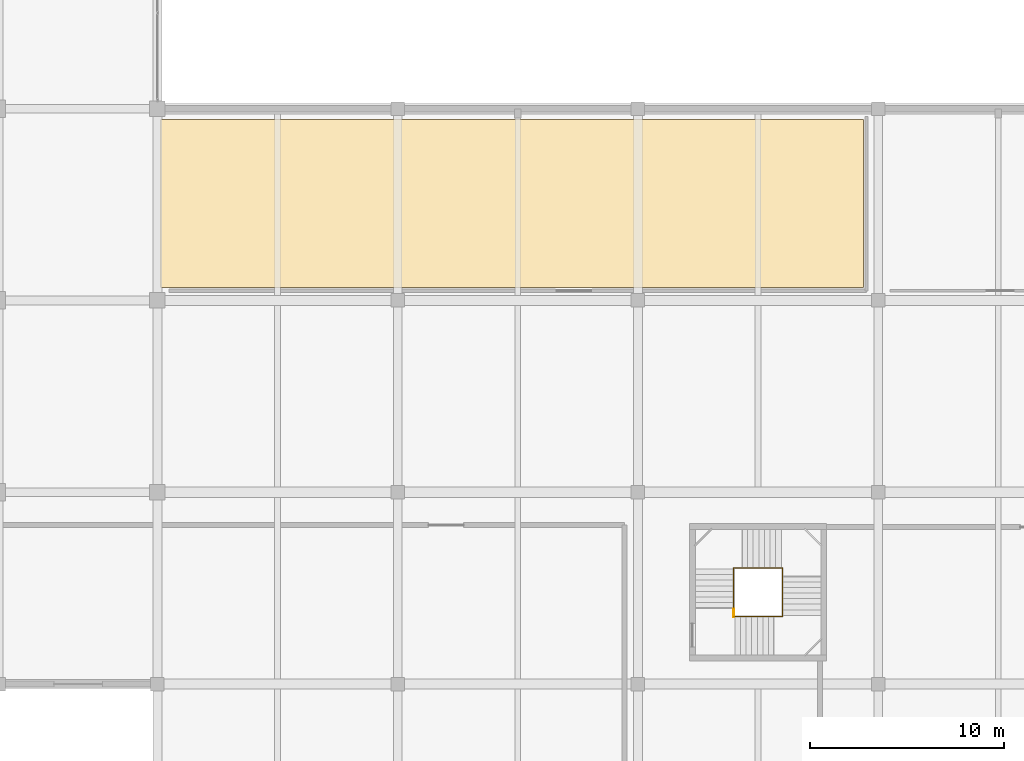
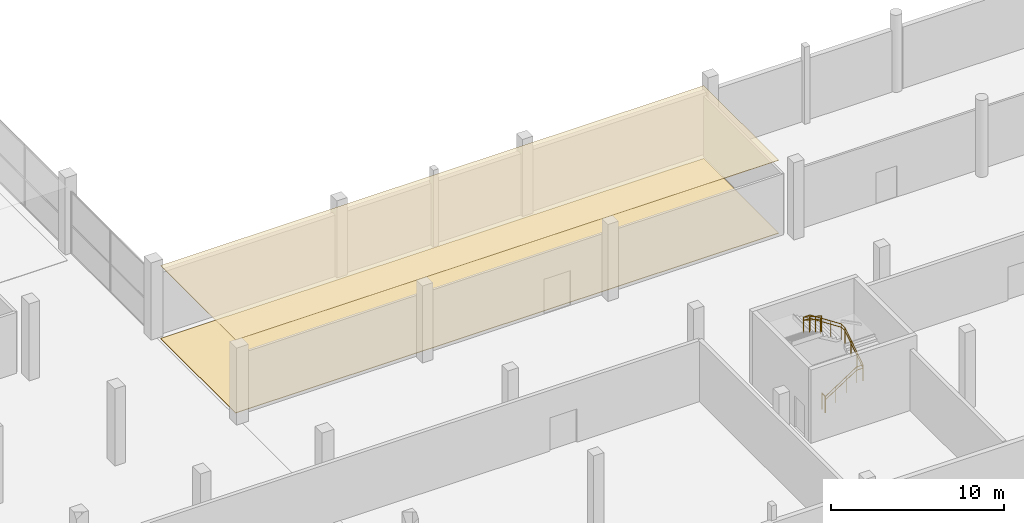
# One storey, part 74 of 74: 3 railings, 2 coverings.
"""IFC4 building model written with IfcOpenShell, lengths in metres."""

import ifcopenshell
import ifcopenshell.guid

model = None  # the IFC model being written
_history = None  # IfcOwnerHistory: only IFC2X3 demands one
_inside = {}  # id of a spatial element -> (the spatial element, [elements in it])
_under = {}  # id of a project, library or spatial element -> (it, [spatial elements below it])
_declared = {}  # id of a project -> (the project, [libraries it declares])
_typed = {}  # id of a type object -> (the type object, [elements of that type])
_made_of = {}  # id of a material, layer set ... -> (it, [elements and type objects made of it])


def new_model(schema):
    """Start an empty IFC model of exactly this schema.

    Asked for "IFC4X3", IfcOpenShell would pick the latest addendum, in which some entities
    have other attributes; the version numbers below select the first issue.
    IFC2X3 requires an IfcOwnerHistory on every rooted entity: one is made here for all.
    """
    global model, _history
    if schema == "IFC4X3":
        model = ifcopenshell.file(schema_version=(4, 3, 0, 0))
    else:
        model = ifcopenshell.file(schema=schema)
    _inside.clear()
    _under.clear()
    _declared.clear()
    _typed.clear()
    _made_of.clear()
    _history = None
    if model.schema == "IFC2X3":
        org = make("IfcOrganization", Name="unknown")
        user = make(
            "IfcPersonAndOrganization",
            ThePerson=make("IfcPerson", FamilyName="unknown"),
            TheOrganization=org,
        )
        app = make(
            "IfcApplication",
            ApplicationDeveloper=org,
            Version="unknown",
            ApplicationFullName="unknown",
            ApplicationIdentifier="unknown",
        )
        _history = make(
            "IfcOwnerHistory",
            OwningUser=user,
            OwningApplication=app,
            ChangeAction="ADDED",
            CreationDate=0,
        )
    return model


def make(cls, **values):
    """One entity of the class cls with the attributes given. An attribute that is None is left unset."""
    return model.create_entity(
        cls, **{name: value for name, value in values.items() if value is not None}
    )


def rooted(cls, **values):
    """An entity with a GlobalId (a new one), such as an element, a storey or a relation."""
    return make(cls, GlobalId=ifcopenshell.guid.new(), OwnerHistory=_history, **values)


def si_unit(unit_type, name, prefix=None):
    """IfcSIUnit, for example si_unit("LENGTHUNIT", "METRE", prefix="MILLI")."""
    return make("IfcSIUnit", UnitType=unit_type, Prefix=prefix, Name=name)


def assignment(units):
    """IfcUnitAssignment: the units of a project."""
    return None if units is None else make("IfcUnitAssignment", Units=units)


def point(xyz):
    """IfcCartesianPoint."""
    return None if xyz is None else make("IfcCartesianPoint", Coordinates=xyz)


def direction(xyz):
    """IfcDirection."""
    return None if xyz is None else make("IfcDirection", DirectionRatios=xyz)


def frame(location, z_axis=None, x_axis=None):
    """IfcAxis2Placement3D, a coordinate frame: its origin and axes. An axis left out is left unset."""
    return make(
        "IfcAxis2Placement3D",
        Location=point(location),
        Axis=direction(z_axis),
        RefDirection=direction(x_axis),
    )


def frame_2d(location, x_axis=None):
    """IfcAxis2Placement2D, a coordinate frame in the plane: its origin and x axis."""
    return make(
        "IfcAxis2Placement2D", Location=point(location), RefDirection=direction(x_axis)
    )


def origin():
    """The frame at (0, 0, 0) with its axes left unset."""
    return frame((0.0, 0.0, 0.0))


def origin_2d():
    """The frame at (0, 0) in the plane with its x axis left unset."""
    return frame_2d((0.0, 0.0))


def place(relative_to, where):
    """IfcLocalPlacement: puts the frame where relative to a parent placement (None: the world)."""
    return make(
        "IfcLocalPlacement", PlacementRelTo=relative_to, RelativePlacement=where
    )


def context(
    kind, dimensions, precision=None, world=None, true_north=None, identifier=None
):
    """IfcGeometricRepresentationContext, for example the 3D "Model" context."""
    return make(
        "IfcGeometricRepresentationContext",
        ContextIdentifier=identifier,
        ContextType=kind,
        CoordinateSpaceDimension=dimensions,
        Precision=precision,
        WorldCoordinateSystem=world,
        TrueNorth=true_north,
    )


def subcontext(parent, identifier, kind, view, scale=None):
    """IfcGeometricRepresentationSubContext, for example "Body" below "Model"."""
    return make(
        "IfcGeometricRepresentationSubContext",
        ContextIdentifier=identifier,
        ContextType=kind,
        ParentContext=parent,
        TargetScale=scale,
        TargetView=view,
    )


def project(units=None, contexts=None):
    """IfcProject with its units and contexts."""
    return rooted(
        "IfcProject",
        Name="project",
        RepresentationContexts=contexts,
        UnitsInContext=assignment(units),
    )


def spatial(cls, under=None, at=None, **own):
    """A site, building, storey or space (cls), placed at a placement, below another one or the project."""
    s = rooted(cls, ObjectPlacement=at, **own)
    if under is not None:
        _under.setdefault(under.id(), (under, []))[1].append(s)
    return s


def polyline(points):
    """IfcPolyline through the points."""
    return make("IfcPolyline", Points=[point(p) for p in points])


def profile(cls, at=None, kind="AREA", **sizes):
    """A parametric profile (cls). Its sizes go by their IFC names, for example OverallWidth=200.0."""
    return make(cls, ProfileType=kind, Position=at, **sizes)


def circle(**sizes):
    """IfcCircleProfileDef."""
    return profile("IfcCircleProfileDef", **sizes)


def outline(outer, holes=None, kind="AREA"):
    """IfcArbitraryClosedProfileDef: a profile drawn as a closed curve; with holes, ...WithVoids."""
    if holes is None:
        return make("IfcArbitraryClosedProfileDef", ProfileType=kind, OuterCurve=outer)
    return make(
        "IfcArbitraryProfileDefWithVoids",
        ProfileType=kind,
        OuterCurve=outer,
        InnerCurves=holes,
    )


def extrude(swept, where, along, depth):
    """IfcExtrudedAreaSolid: the profile swept, set in the frame where, extruded along a direction by depth."""
    return make(
        "IfcExtrudedAreaSolid",
        SweptArea=swept,
        Position=where,
        ExtrudedDirection=direction(along),
        Depth=depth,
    )


def shape(context_of_items, identifier, shape_type, items):
    """IfcShapeRepresentation: the items that make up one representation, for example the "Body"."""
    return make(
        "IfcShapeRepresentation",
        ContextOfItems=context_of_items,
        RepresentationIdentifier=identifier,
        RepresentationType=shape_type,
        Items=items,
    )


def material(Name=None, Category=None):
    """IfcMaterial."""
    return make("IfcMaterial", Name=Name, Category=Category)


def layer(
    of_material, thickness, ventilated=None, Name=None, Category=None, Priority=None
):
    """IfcMaterialLayer: one layer of a wall or slab, of a material (None: an air gap)."""
    return make(
        "IfcMaterialLayer",
        Material=of_material,
        LayerThickness=thickness,
        IsVentilated=ventilated,
        Name=Name,
        Category=Category,
        Priority=Priority,
    )


def layer_set(layers, Name=None):
    """IfcMaterialLayerSet."""
    return make("IfcMaterialLayerSet", MaterialLayers=layers, LayerSetName=Name)


def made_of(thing, what):
    """Note that an element or type object is made of a material, layer set ...; save() writes the relation."""
    if what is not None:
        _made_of.setdefault(what.id(), (what, []))[1].append(thing)
    return thing


def type_object(cls, material=None, **own):
    """A type object (cls), such as IfcWallType, which elements share."""
    return made_of(rooted(cls, **own), material)


def element(
    cls,
    number,
    at=None,
    inside=None,
    cuts=None,
    type_object=None,
    material=None,
    context=None,
    identifier="Body",
    shape_type=None,
    held_by="IfcProductDefinitionShape",
    body=None,
    shapes=None,
    **own,
):
    """One element of the class cls, such as IfcWall. Its Tag is "e" and its number.

    at: its placement. inside: the storey or other place that contains it. cuts: it is an
    opening in that element (IfcRelVoidsElement). A single representation is given by context,
    identifier, shape_type and body (its items); several are given by shapes. held_by: the class
    of the entity that holds the representations. save() writes the other relations.
    """
    e = rooted(cls, Tag="e%d" % number, ObjectPlacement=at, **own)
    if body is not None:
        shapes = [shape(context, identifier, shape_type, body)]
    if shapes is not None:
        e.Representation = make(held_by, Representations=shapes)
    if inside is not None:
        _inside.setdefault(inside.id(), (inside, []))[1].append(e)
    if cuts is not None:
        rooted(
            "IfcRelVoidsElement", RelatingBuildingElement=cuts, RelatedOpeningElement=e
        )
    if type_object is not None:
        _typed.setdefault(type_object.id(), (type_object, []))[1].append(e)
    return made_of(e, material)


def aggregate(whole, parts):
    """IfcRelAggregates: a whole, such as a stair, and the parts it consists of."""
    return rooted("IfcRelAggregates", RelatingObject=whole, RelatedObjects=parts)


def save(model, path):
    """Write the relations noted so far, then the file.

    IfcRelAggregates (storeys below a building ...), IfcRelContainedInSpatialStructure (elements
    in a storey), IfcRelDefinesByType, IfcRelAssociatesMaterial and IfcRelDeclares: one each for
    every whole, place, type object, material and project.
    """
    for whole, parts in _under.values():
        aggregate(whole, parts)
    for where, things in _inside.values():
        rooted(
            "IfcRelContainedInSpatialStructure",
            RelatedElements=things,
            RelatingStructure=where,
        )
    for kind, things in _typed.values():
        rooted("IfcRelDefinesByType", RelatedObjects=things, RelatingType=kind)
    for what, things in _made_of.values():
        rooted("IfcRelAssociatesMaterial", RelatedObjects=things, RelatingMaterial=what)
    for by, libraries in _declared.values():
        rooted("IfcRelDeclares", RelatingContext=by, RelatedDefinitions=libraries)
    model.write(path)


model = new_model("IFC4")

# Units and contexts
model_context = context("Model", 3, precision=1e-05, world=origin(), true_north=direction((0.0, 1.0)))
body_context = subcontext(model_context, "Body", "Model", "MODEL_VIEW")
ifc_project = project(units=[si_unit("LENGTHUNIT", "METRE"), si_unit("AREAUNIT", "SQUARE_METRE"), si_unit("VOLUMEUNIT", "CUBIC_METRE"), si_unit("PLANEANGLEUNIT", "RADIAN"), si_unit("MASSUNIT", "GRAM", prefix="KILO")], contexts=[model_context])

# Site, building, storey
site_placement = place(None, origin())
site = spatial("IfcSite", under=ifc_project, at=site_placement, CompositionType="ELEMENT")
building_placement = place(site_placement, origin())
building = spatial("IfcBuilding", under=site, at=building_placement, Name="Sillaruma Civic Art Gallery", CompositionType="ELEMENT")
storey_placement = place(building_placement, frame((0.0, 0.0, 5.43994140625)))
storey = spatial("IfcBuildingStorey", under=building, at=storey_placement, Name="L01", CompositionType="ELEMENT", Elevation=5.43994140625)

# Coverings
ifc_material_1 = material(Name="Gypsum Acoustic Board", Category="gypsum")
ifc_layer_1 = layer(ifc_material_1, 0.030029296875, Name="Gypsum Acoustic Board")
ifc_layer_set_1 = layer_set([ifc_layer_1], Name="Gypsum Acoustic Board")
covering_type_1 = type_object("IfcCoveringType", Name="COV-CLG-30", PredefinedType="CEILING", material=ifc_layer_set_1)
covering_1_placement = place(storey_placement, frame((0.0, 0.0, 5.150146484375)))
element("IfcCovering", 1, at=covering_1_placement, inside=storey, type_object=covering_type_1, Name="Acoustic Gallery Ceiling (L01-GAL13)", PredefinedType="CEILING", context=body_context, shape_type="SweptSolid", body=[
    extrude(outline(polyline([(114.56005859375, 30.360107421875), (150.840087890625, 30.360107421875), (150.840087890625, 39.0400390625), (114.56005859375, 39.0400390625), (114.56005859375, 30.360107421875)])), origin(), (0.0, 0.0, 1.0), 0.030029296875),
])
ifc_material_2 = material(Name="Basalt Paver Stone", Category="masonry")
ifc_layer_2 = layer(ifc_material_2, 0.034912109375, Name="Basalt Paver Stone")
ifc_layer_set_2 = layer_set([ifc_layer_2], Name="Basalt Paver Stone")
covering_type_2 = type_object("IfcCoveringType", Name="COV-FLR-35", PredefinedType="FLOORING", material=ifc_layer_set_2)
covering_2_placement = place(storey_placement, origin())
element("IfcCovering", 2, at=covering_2_placement, inside=storey, type_object=covering_type_2, Name="Gallery Stone Terrazzo Flooring (L01-GAL13)", PredefinedType="FLOORING", context=body_context, shape_type="SweptSolid", body=[
    extrude(outline(polyline([(114.56005859375, 30.360107421875), (150.840087890625, 30.360107421875), (150.840087890625, 39.0400390625), (114.56005859375, 39.0400390625), (114.56005859375, 30.360107421875)])), origin(), (0.0, 0.0, 1.0), 0.03515625),
])

# Railings
ifc_material_3 = material(Name="Stainless Steel AISI 316", Category="steel")
railing_type_1 = type_object("IfcRailingType", Name="RAL-BAL-1150", PredefinedType="BALUSTRADE", material=ifc_material_3)
railing_1_placement = place(storey_placement, frame((144.139892578125, 13.3798828125, 0.0)))
element("IfcRailing", 3, at=railing_1_placement, inside=storey, type_object=railing_type_1, Name="Stair Floor Edge Guard (ST-05:L01)", PredefinedType="BALUSTRADE", context=body_context, shape_type="SweptSolid", body=[
    extrude(circle(Radius=0.02392578125, at=origin_2d()), frame((0.0, 0.0, 1.1259765625), z_axis=(0.0, 1.0, 0.0), x_axis=(-1.0, 0.0, 0.0)), (0.0, 0.0, 1.0), 0.39013671875),
    extrude(circle(Radius=0.02099609375, at=origin_2d()), origin(), (0.0, 0.0, 1.0), 1.101806640625),
    extrude(circle(Radius=0.02099609375, at=origin_2d()), frame((0.0, 0.39013671875, 0.0)), (0.0, 0.0, 1.0), 1.101806640625),
])
railing_2_placement = place(storey_placement, frame((144.139892578125, 13.3798828125, 0.0)))
element("IfcRailing", 4, at=railing_2_placement, inside=storey, type_object=railing_type_1, Name="Stair Well Balustrade (ST-05-L01)", PredefinedType="BALUSTRADE", context=body_context, shape_type="SweptSolid", body=[
    extrude(circle(Radius=0.02392578125, at=origin_2d()), frame((0.0, 0.0, 1.1259765625), z_axis=(0.838159424827, 0.0, 0.545425318971), x_axis=(0.0, 1.0, 0.0)), (0.0, 0.0, 1.0), 2.49365234375),
    extrude(circle(Radius=0.02392578125, at=origin_2d()), frame((2.090087890625, 0.0, 2.48583984375), z_axis=(1.0, 0.0, 0.0), x_axis=(0.0, 1.0, 0.0)), (0.0, 0.0, 1.0), 0.429931640625),
    extrude(circle(Radius=0.02392578125, at=origin_2d()), frame((2.52001953125, 0.0, 2.48583984375), z_axis=(0.0, 0.838204181713, 0.545356534534), x_axis=(-1.0, 0.0, 0.0)), (0.0, 0.0, 1.0), 2.49365234375),
    extrude(circle(Radius=0.02392578125, at=origin_2d()), frame((2.52001953125, 2.090087890625, 3.845703125), z_axis=(0.0, 1.0, 0.0), x_axis=(-1.0, 0.0, 0.0)), (0.0, 0.0, 1.0), 0.429931640625),
    extrude(circle(Radius=0.02392578125, at=origin_2d()), frame((2.52001953125, 2.52001953125, 3.845703125), z_axis=(-0.838130295786, 0.0, 0.545470079185), x_axis=(0.0, -1.0, 0.0)), (0.0, 0.0, 1.0), 2.493408203125),
    extrude(circle(Radius=0.02392578125, at=origin_2d()), frame((0.43017578125, 2.52001953125, 5.2060546875), z_axis=(-1.0, 0.0, 0.0), x_axis=(0.0, -1.0, 0.0)), (0.0, 0.0, 1.0), 0.43017578125),
    extrude(circle(Radius=0.02392578125, at=origin_2d()), frame((0.0, 2.52001953125, 5.2060546875), z_axis=(0.0, -0.838175058464, 0.545401293883), x_axis=(1.0, 0.0, 0.0)), (0.0, 0.0, 1.0), 2.493408203125),
    extrude(circle(Radius=0.02099609375, at=origin_2d()), origin(), (0.0, 0.0, 1.0), 1.101806640625),
    extrude(circle(Radius=0.02099609375, at=origin_2d()), frame((0.69677734375, 0.0, 0.453369140625)), (0.0, 0.0, 1.0), 1.101806640625),
    extrude(circle(Radius=0.02099609375, at=origin_2d()), frame((1.393310546875, 0.0, 0.90673828125)), (0.0, 0.0, 1.0), 1.101806640625),
    extrude(circle(Radius=0.02099609375, at=origin_2d()), frame((2.090087890625, 0.0, 1.360107421875)), (0.0, 0.0, 1.0), 1.101806640625),
    extrude(circle(Radius=0.02099609375, at=origin_2d()), frame((2.52001953125, 0.0, 1.360107421875)), (0.0, 0.0, 1.0), 1.101806640625),
    extrude(circle(Radius=0.02099609375, at=origin_2d()), frame((2.52001953125, 0.69677734375, 1.8134765625)), (0.0, 0.0, 1.0), 1.101806640625),
    extrude(circle(Radius=0.02099609375, at=origin_2d()), frame((2.52001953125, 1.393310546875, 2.2666015625)), (0.0, 0.0, 1.0), 1.101806640625),
    extrude(circle(Radius=0.02099609375, at=origin_2d()), frame((2.52001953125, 2.090087890625, 2.719970703125)), (0.0, 0.0, 1.0), 1.101806640625),
    extrude(circle(Radius=0.02099609375, at=origin_2d()), frame((2.52001953125, 2.52001953125, 2.719970703125)), (0.0, 0.0, 1.0), 1.101806640625),
    extrude(circle(Radius=0.02099609375, at=origin_2d()), frame((1.823486328125, 2.52001953125, 3.17333984375)), (0.0, 0.0, 1.0), 1.101806640625),
    extrude(circle(Radius=0.02099609375, at=origin_2d()), frame((1.126708984375, 2.52001953125, 3.626708984375)), (0.0, 0.0, 1.0), 1.101806640625),
    extrude(circle(Radius=0.02099609375, at=origin_2d()), frame((0.43017578125, 2.52001953125, 4.080078125)), (0.0, 0.0, 1.0), 1.101806640625),
    extrude(circle(Radius=0.02099609375, at=origin_2d()), frame((0.0, 2.52001953125, 4.080078125)), (0.0, 0.0, 1.0), 1.101806640625),
    extrude(circle(Radius=0.02099609375, at=origin_2d()), frame((0.0, 1.823486328125, 4.533447265625)), (0.0, 0.0, 1.0), 1.101806640625),
    extrude(circle(Radius=0.02099609375, at=origin_2d()), frame((0.0, 1.126708984375, 4.986572265625)), (0.0, 0.0, 1.0), 1.101806640625),
    extrude(circle(Radius=0.02099609375, at=origin_2d()), frame((0.0, 0.43017578125, 5.43994140625)), (0.0, 0.0, 1.0), 1.101806640625),
])
railing_type_2 = type_object("IfcRailingType", Name="RAL-HND-920", PredefinedType="HANDRAIL", material=ifc_material_3)
railing_3_placement = place(storey_placement, frame((144.139892578125, 13.3798828125, 0.0)))
element("IfcRailing", 5, at=railing_3_placement, inside=storey, type_object=railing_type_2, Name="Stair Continuous Handrail (ST-05-L01)", PredefinedType="HANDRAIL", context=body_context, shape_type="SweptSolid", body=[
    extrude(circle(Radius=0.02392578125, at=origin_2d()), frame((0.0, 0.0, 0.89599609375), z_axis=(0.838159424827, 0.0, 0.545425318971), x_axis=(0.0, 1.0, 0.0)), (0.0, 0.0, 1.0), 2.49365234375),
    extrude(circle(Radius=0.02392578125, at=origin_2d()), frame((2.090087890625, 0.0, 2.255859375), z_axis=(1.0, 0.0, 0.0), x_axis=(0.0, 1.0, 0.0)), (0.0, 0.0, 1.0), 0.429931640625),
    extrude(circle(Radius=0.02392578125, at=origin_2d()), frame((2.52001953125, 0.0, 2.255859375), z_axis=(0.0, 0.838204181713, 0.545356534534), x_axis=(-1.0, 0.0, 0.0)), (0.0, 0.0, 1.0), 2.49365234375),
    extrude(circle(Radius=0.02392578125, at=origin_2d()), frame((2.52001953125, 2.090087890625, 3.61572265625), z_axis=(0.0, 1.0, 0.0), x_axis=(-1.0, 0.0, 0.0)), (0.0, 0.0, 1.0), 0.429931640625),
    extrude(circle(Radius=0.02392578125, at=origin_2d()), frame((2.52001953125, 2.52001953125, 3.61572265625), z_axis=(-0.838130295786, 0.0, 0.545470079185), x_axis=(0.0, -1.0, 0.0)), (0.0, 0.0, 1.0), 2.493408203125),
    extrude(circle(Radius=0.02392578125, at=origin_2d()), frame((0.43017578125, 2.52001953125, 4.97607421875), z_axis=(-1.0, 0.0, 0.0), x_axis=(0.0, -1.0, 0.0)), (0.0, 0.0, 1.0), 0.43017578125),
    extrude(circle(Radius=0.02392578125, at=origin_2d()), frame((0.0, 2.52001953125, 4.97607421875), z_axis=(0.0, -0.838175058464, 0.545401293883), x_axis=(1.0, 0.0, 0.0)), (0.0, 0.0, 1.0), 2.493408203125),
    extrude(circle(Radius=0.02099609375, at=origin_2d()), origin(), (0.0, 0.0, 1.0), 0.871826171875),
    extrude(circle(Radius=0.02099609375, at=origin_2d()), frame((0.69677734375, 0.0, 0.453369140625)), (0.0, 0.0, 1.0), 0.871826171875),
    extrude(circle(Radius=0.02099609375, at=origin_2d()), frame((1.393310546875, 0.0, 0.90673828125)), (0.0, 0.0, 1.0), 0.871826171875),
    extrude(circle(Radius=0.02099609375, at=origin_2d()), frame((2.090087890625, 0.0, 1.360107421875)), (0.0, 0.0, 1.0), 0.871826171875),
    extrude(circle(Radius=0.02099609375, at=origin_2d()), frame((2.52001953125, 0.0, 1.360107421875)), (0.0, 0.0, 1.0), 0.871826171875),
    extrude(circle(Radius=0.02099609375, at=origin_2d()), frame((2.52001953125, 0.69677734375, 1.8134765625)), (0.0, 0.0, 1.0), 0.871826171875),
    extrude(circle(Radius=0.02099609375, at=origin_2d()), frame((2.52001953125, 1.393310546875, 2.2666015625)), (0.0, 0.0, 1.0), 0.871826171875),
    extrude(circle(Radius=0.02099609375, at=origin_2d()), frame((2.52001953125, 2.090087890625, 2.719970703125)), (0.0, 0.0, 1.0), 0.871826171875),
    extrude(circle(Radius=0.02099609375, at=origin_2d()), frame((2.52001953125, 2.52001953125, 2.719970703125)), (0.0, 0.0, 1.0), 0.871826171875),
    extrude(circle(Radius=0.02099609375, at=origin_2d()), frame((1.823486328125, 2.52001953125, 3.17333984375)), (0.0, 0.0, 1.0), 0.871826171875),
    extrude(circle(Radius=0.02099609375, at=origin_2d()), frame((1.126708984375, 2.52001953125, 3.626708984375)), (0.0, 0.0, 1.0), 0.871826171875),
    extrude(circle(Radius=0.02099609375, at=origin_2d()), frame((0.43017578125, 2.52001953125, 4.080078125)), (0.0, 0.0, 1.0), 0.871826171875),
    extrude(circle(Radius=0.02099609375, at=origin_2d()), frame((0.0, 2.52001953125, 4.080078125)), (0.0, 0.0, 1.0), 0.871826171875),
    extrude(circle(Radius=0.02099609375, at=origin_2d()), frame((0.0, 1.823486328125, 4.533447265625)), (0.0, 0.0, 1.0), 0.871826171875),
    extrude(circle(Radius=0.02099609375, at=origin_2d()), frame((0.0, 1.126708984375, 4.986572265625)), (0.0, 0.0, 1.0), 0.871826171875),
    extrude(circle(Radius=0.02099609375, at=origin_2d()), frame((0.0, 0.43017578125, 5.43994140625)), (0.0, 0.0, 1.0), 0.871826171875),
])

save(model, "model.ifc")
